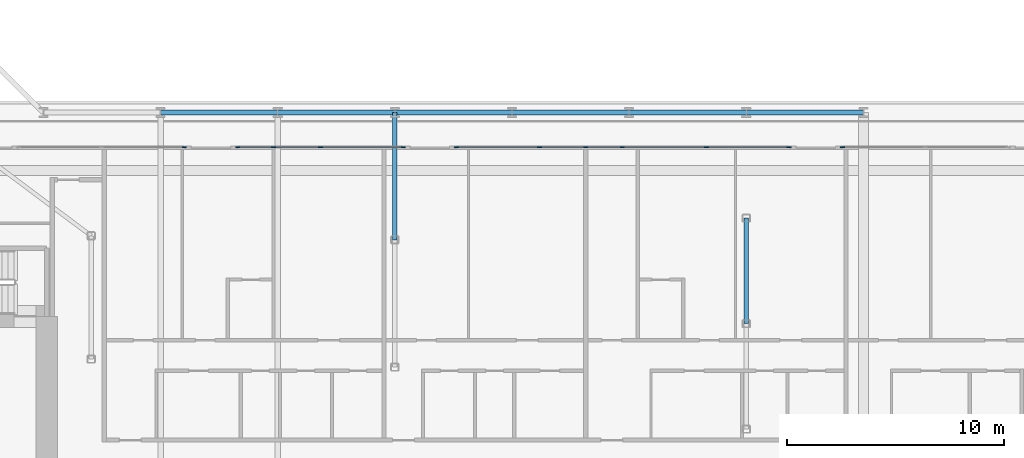
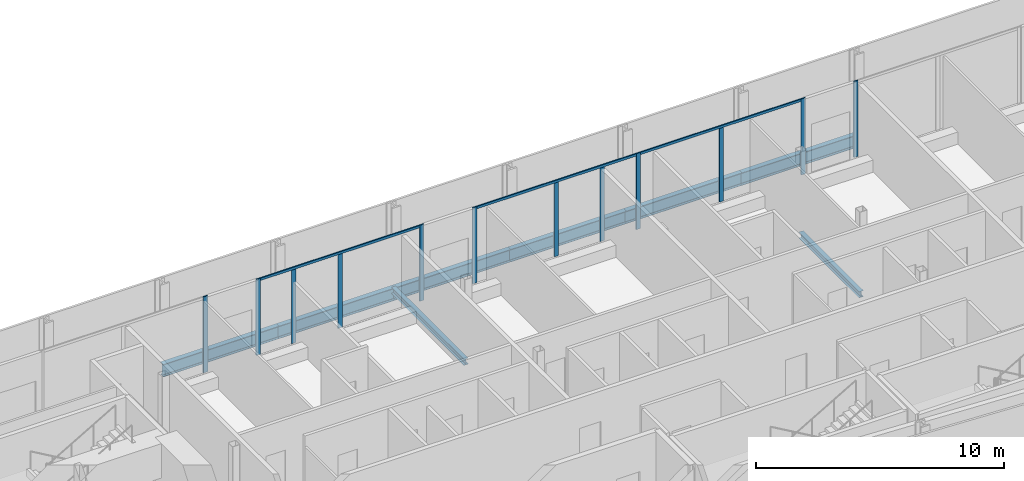
# One storey, part 6 of 27: 15 members, 8 beams, 5 elements without a shape of their own.
"""IFC4 building model written with IfcOpenShell, lengths in metres."""

from ifc_helpers import new_model, si_unit, direction, frame, origin, origin_2d, place, context, subcontext, project, spatial, rectangle, i_section, extrude, material, layer, layer_set, material_profile, profile_set, type_object, element, aggregate, save


model = new_model("IFC4")

# Units and contexts
model_context = context("Model", 3, precision=1e-05, world=origin(), true_north=direction((0.0, 1.0)))
body_context = subcontext(model_context, "Body", "Model", "MODEL_VIEW")
ifc_project = project(units=[si_unit("LENGTHUNIT", "METRE"), si_unit("AREAUNIT", "SQUARE_METRE"), si_unit("VOLUMEUNIT", "CUBIC_METRE"), si_unit("PLANEANGLEUNIT", "RADIAN"), si_unit("MASSUNIT", "GRAM", prefix="KILO")], contexts=[model_context])

# Site, building, storey
site_placement = place(None, origin())
site = spatial("IfcSite", under=ifc_project, at=site_placement, CompositionType="ELEMENT")
building_placement = place(site_placement, origin())
building = spatial("IfcBuilding", under=site, at=building_placement, Name="Kheshtan School and Residences Tower", CompositionType="ELEMENT")
storey_placement = place(building_placement, frame((0.0, 0.0, 57.800048828125)))
storey = spatial("IfcBuildingStorey", under=building, at=storey_placement, Name="L13", CompositionType="ELEMENT", Elevation=57.800048828125)

# Beams
ifc_material_1 = material(Name="Steel ASTM A992 Grade 50", Category="steel")
ifc_material_profile_1 = material_profile(ifc_material_1, i_section(OverallWidth=0.202880859375, OverallDepth=0.302978515625, WebThickness=0.007568359375, FlangeThickness=0.01318359375, FilletRadius=0.009033203125, at=origin_2d()), Name="W310x60")
ifc_profile_set_1 = profile_set([ifc_material_profile_1], Name="Steel ASTM A992 Grade 50")
beam_type_1 = type_object("IfcBeamType", Name="Beam FB1 W310x60 ASTM A992 Grade 50", PredefinedType="BEAM", material=ifc_profile_set_1)
beam_1_placement = place(storey_placement, frame((69.199951171875, 45.60009765625, -0.301513671875), z_axis=(0.0, -1.0, 0.0), x_axis=(1.0, 0.0, 0.0)))
element("IfcBeam", 1, at=beam_1_placement, inside=storey, type_object=beam_type_1, Name="Floor beam C064", PredefinedType="BEAM", context=body_context, shape_type="SweptSolid", body=[
    extrude(i_section(OverallWidth=0.202880859375, OverallDepth=0.302978515625, WebThickness=0.007568359375, FlangeThickness=0.01318359375, FilletRadius=0.009033203125, at=origin_2d()), origin(), (0.0, 0.0, 1.0), 5.8681640625),
])
beam_2_placement = place(storey_placement, frame((85.39990234375, 40.735107421875, -0.301513671875), z_axis=(0.0, -1.0, 0.0), x_axis=(1.0, 0.0, 0.0)))
element("IfcBeam", 2, at=beam_2_placement, inside=storey, type_object=beam_type_1, Name="Floor beam IC", PredefinedType="BEAM", context=body_context, shape_type="SweptSolid", body=[
    extrude(i_section(OverallWidth=0.202880859375, OverallDepth=0.302978515625, WebThickness=0.007568359375, FlangeThickness=0.01318359375, FilletRadius=0.009033203125, at=origin_2d()), origin(), (0.0, 0.0, 1.0), 4.864990234375),
])
ifc_material_profile_2 = material_profile(ifc_material_1, i_section(OverallWidth=0.22998046875, OverallDepth=0.616943359375, WebThickness=0.01318359375, FlangeThickness=0.022216796875, FilletRadius=0.0185546875, at=origin_2d()), Name="W610x140")
ifc_profile_set_2 = profile_set([ifc_material_profile_2], Name="Steel ASTM A992 Grade 50")
beam_type_2 = type_object("IfcBeamType", Name="Beam SP1 W610x140 ASTM A992 Grade 50", PredefinedType="BEAM", material=ifc_profile_set_2)
beam_3_placement = place(storey_placement, frame((58.39990234375, 45.60009765625, -0.45849609375), z_axis=(1.0, 0.0, 0.0), x_axis=(0.0, 1.0, 0.0)))
element("IfcBeam", 3, at=beam_3_placement, inside=storey, type_object=beam_type_2, Name="Spandrel beam C062-C063", PredefinedType="BEAM", context=body_context, shape_type="SweptSolid", body=[
    extrude(i_section(OverallWidth=0.22998046875, OverallDepth=0.616943359375, WebThickness=0.01318359375, FlangeThickness=0.022216796875, FilletRadius=0.0185546875, at=origin_2d()), origin(), (0.0, 0.0, 1.0), 5.400146484375),
])
beam_4_placement = place(storey_placement, frame((63.800048828125, 45.60009765625, -0.45849609375), z_axis=(1.0, 0.0, 0.0), x_axis=(0.0, 1.0, 0.0)))
element("IfcBeam", 4, at=beam_4_placement, inside=storey, type_object=beam_type_2, Name="Spandrel beam C063-C064", PredefinedType="BEAM", context=body_context, shape_type="SweptSolid", body=[
    extrude(i_section(OverallWidth=0.22998046875, OverallDepth=0.616943359375, WebThickness=0.01318359375, FlangeThickness=0.022216796875, FilletRadius=0.0185546875, at=origin_2d()), origin(), (0.0, 0.0, 1.0), 5.39990234375),
])
beam_5_placement = place(storey_placement, frame((69.199951171875, 45.60009765625, -0.45849609375), z_axis=(1.0, 0.0, 0.0), x_axis=(0.0, 1.0, 0.0)))
element("IfcBeam", 5, at=beam_5_placement, inside=storey, type_object=beam_type_2, Name="Spandrel beam C064-C065", PredefinedType="BEAM", context=body_context, shape_type="SweptSolid", body=[
    extrude(i_section(OverallWidth=0.22998046875, OverallDepth=0.616943359375, WebThickness=0.01318359375, FlangeThickness=0.022216796875, FilletRadius=0.0185546875, at=origin_2d()), origin(), (0.0, 0.0, 1.0), 5.400146484375),
])
for number, where, z_axis, x_axis, name in (
    (6, (74.60009765625, 45.60009765625, -0.45849609375), (1.0, 0.0, 0.0), (0.0, 1.0, 0.0), "Spandrel beam C065-C066"),
    (7, (80.0, 45.60009765625, -0.45849609375), (1.0, 0.0, 0.0), (0.0, 1.0, 0.0), "Spandrel beam C066-C067"),
):
    element("IfcBeam", number, at=place(storey_placement, frame(where, z_axis=z_axis, x_axis=x_axis)), inside=storey, type_object=beam_type_2, Name=name, PredefinedType="BEAM", context=body_context, shape_type="SweptSolid", body=[
        extrude(i_section(OverallWidth=0.22998046875, OverallDepth=0.616943359375, WebThickness=0.01318359375, FlangeThickness=0.022216796875, FilletRadius=0.0185546875, at=origin_2d()), origin(), (0.0, 0.0, 1.0), 5.39990234375),
    ])
beam_6_placement = place(storey_placement, frame((85.39990234375, 45.60009765625, -0.45849609375), z_axis=(1.0, 0.0, 0.0), x_axis=(0.0, 1.0, 0.0)))
element("IfcBeam", 8, at=beam_6_placement, inside=storey, type_object=beam_type_2, Name="Spandrel beam C067-C068", PredefinedType="BEAM", context=body_context, shape_type="SweptSolid", body=[
    extrude(i_section(OverallWidth=0.22998046875, OverallDepth=0.616943359375, WebThickness=0.01318359375, FlangeThickness=0.022216796875, FilletRadius=0.0185546875, at=origin_2d()), origin(), (0.0, 0.0, 1.0), 5.400146484375),
])

# Curtain wall, member
ifc_material_2 = material(Name="Clear low-e glass in thermally broken aluminium frame", Category="aluminium")
ifc_layer = layer(ifc_material_2, 0.199951171875)
ifc_layer_set = layer_set([ifc_layer], Name="Curtain wall CW-L")
curtain_wall_type = type_object("IfcCurtainWallType", Name="Curtain wall CW-L", PredefinedType="NOTDEFINED", material=ifc_layer_set)
curtain_wall_1_placement = place(storey_placement, origin())
curtain_wall_1 = element("IfcCurtainWall", 9, at=curtain_wall_1_placement, inside=storey, type_object=curtain_wall_type, Name="Curtain wall CWL12j", PredefinedType="NOTDEFINED")
ifc_material_3 = material(Name="Thermally broken aluminium, dark bronze anodised", Category="aluminium")
ifc_material_profile_3 = material_profile(ifc_material_3, rectangle(XDim=0.06005859375, YDim=0.199951171875, at=origin_2d()), Name="CW-L mullion 60x200")
ifc_profile_set_3 = profile_set([ifc_material_profile_3], Name="Thermally broken aluminium, dark bronze anodised")
member_type_1 = type_object("IfcMemberType", Name="CW-L mullion 60x200", PredefinedType="MULLION", material=ifc_profile_set_3)
member_1_placement = place(storey_placement, frame((59.493896484375, 44.0, 0.0), z_axis=(0.0, 0.0, 1.0), x_axis=(0.0, 1.0, 0.0)))
member_1 = element("IfcMember", 10, at=member_1_placement, type_object=member_type_1, Name="CWL12j mullion 3", PredefinedType="MULLION", context=body_context, shape_type="SweptSolid", body=[
    extrude(rectangle(XDim=0.06005859375, YDim=0.199951171875, at=origin_2d()), origin(), (0.0, 0.0, 1.0), 3.75),
])
aggregate(curtain_wall_1, [member_1])

# Curtain wall, members
curtain_wall_2_placement = place(storey_placement, origin())
curtain_wall_2 = element("IfcCurtainWall", 11, at=curtain_wall_2_placement, inside=storey, type_object=curtain_wall_type, Name="Curtain wall CWL12k", PredefinedType="NOTDEFINED")
member_2_placement = place(storey_placement, frame((61.9541015625, 44.0, 0.0), z_axis=(0.0, 0.0, 1.0), x_axis=(0.0, 1.0, 0.0)))
member_2 = element("IfcMember", 12, at=member_2_placement, type_object=member_type_1, Name="CWL12k mullion 1", PredefinedType="MULLION", context=body_context, shape_type="SweptSolid", body=[
    extrude(rectangle(XDim=0.06005859375, YDim=0.199951171875, at=origin_2d()), origin(), (0.0, 0.0, 1.0), 3.75),
])
member_3_placement = place(storey_placement, frame((63.60009765625, 44.0, 0.0), z_axis=(0.0, 0.0, 1.0), x_axis=(0.0, 1.0, 0.0)))
member_3 = element("IfcMember", 13, at=member_3_placement, type_object=member_type_1, Name="CWL12k mullion 2", PredefinedType="MULLION", context=body_context, shape_type="SweptSolid", body=[
    extrude(rectangle(XDim=0.06005859375, YDim=0.199951171875, at=origin_2d()), origin(), (0.0, 0.0, 1.0), 3.6298828125),
])
member_4_placement = place(storey_placement, frame((65.77099609375, 44.0, 0.0), z_axis=(0.0, 0.0, 1.0), x_axis=(0.0, 1.0, 0.0)))
member_4 = element("IfcMember", 14, at=member_4_placement, type_object=member_type_1, Name="CWL12k mullion 3", PredefinedType="MULLION", context=body_context, shape_type="SweptSolid", body=[
    extrude(rectangle(XDim=0.06005859375, YDim=0.199951171875, at=origin_2d()), origin(), (0.0, 0.0, 1.0), 3.6298828125),
])
member_5_placement = place(storey_placement, frame((69.587890625, 44.0, 0.0), z_axis=(0.0, 0.0, 1.0), x_axis=(0.0, 1.0, 0.0)))
member_5 = element("IfcMember", 15, at=member_5_placement, type_object=member_type_1, Name="CWL12k mullion 4", PredefinedType="MULLION", context=body_context, shape_type="SweptSolid", body=[
    extrude(rectangle(XDim=0.06005859375, YDim=0.199951171875, at=origin_2d()), origin(), (0.0, 0.0, 1.0), 3.75),
])

curtain_wall_3_placement = place(storey_placement, origin())
curtain_wall_3 = element("IfcCurtainWall", 16, at=curtain_wall_3_placement, inside=storey, type_object=curtain_wall_type, Name="Curtain wall CWL12k", PredefinedType="NOTDEFINED")
member_6_placement = place(storey_placement, frame((72.048095703125, 44.0, 0.0), z_axis=(0.0, 0.0, 1.0), x_axis=(0.0, 1.0, 0.0)))
member_6 = element("IfcMember", 17, at=member_6_placement, type_object=member_type_1, Name="CWL12k mullion 1", PredefinedType="MULLION", context=body_context, shape_type="SweptSolid", body=[
    extrude(rectangle(XDim=0.06005859375, YDim=0.199951171875, at=origin_2d()), origin(), (0.0, 0.0, 1.0), 3.75),
])
member_7_placement = place(storey_placement, frame((75.864990234375, 44.0, 0.0), z_axis=(0.0, 0.0, 1.0), x_axis=(0.0, 1.0, 0.0)))
member_7 = element("IfcMember", 18, at=member_7_placement, type_object=member_type_1, Name="CWL12k mullion 2", PredefinedType="MULLION", context=body_context, shape_type="SweptSolid", body=[
    extrude(rectangle(XDim=0.06005859375, YDim=0.199951171875, at=origin_2d()), origin(), (0.0, 0.0, 1.0), 3.6298828125),
])
member_8_placement = place(storey_placement, frame((78.0, 44.0, 0.0), z_axis=(0.0, 0.0, 1.0), x_axis=(0.0, 1.0, 0.0)))
member_8 = element("IfcMember", 19, at=member_8_placement, type_object=member_type_1, Name="CWL12k mullion 3", PredefinedType="MULLION", context=body_context, shape_type="SweptSolid", body=[
    extrude(rectangle(XDim=0.06005859375, YDim=0.199951171875, at=origin_2d()), origin(), (0.0, 0.0, 1.0), 3.6298828125),
])
member_9_placement = place(storey_placement, frame((79.681884765625, 44.0, 0.0), z_axis=(0.0, 0.0, 1.0), x_axis=(0.0, 1.0, 0.0)))
member_9 = element("IfcMember", 20, at=member_9_placement, type_object=member_type_1, Name="CWL12k mullion 4", PredefinedType="MULLION", context=body_context, shape_type="SweptSolid", body=[
    extrude(rectangle(XDim=0.06005859375, YDim=0.199951171875, at=origin_2d()), origin(), (0.0, 0.0, 1.0), 3.75),
])

curtain_wall_4_placement = place(storey_placement, origin())
curtain_wall_4 = element("IfcCurtainWall", 21, at=curtain_wall_4_placement, inside=storey, type_object=curtain_wall_type, Name="Curtain wall CWL12j", PredefinedType="NOTDEFINED")
member_10_placement = place(storey_placement, frame((83.55908203125, 44.0, 0.0), z_axis=(0.0, 0.0, 1.0), x_axis=(0.0, 1.0, 0.0)))
member_10 = element("IfcMember", 22, at=member_10_placement, type_object=member_type_1, Name="CWL12j mullion 2", PredefinedType="MULLION", context=body_context, shape_type="SweptSolid", body=[
    extrude(rectangle(XDim=0.06005859375, YDim=0.199951171875, at=origin_2d()), origin(), (0.0, 0.0, 1.0), 3.6298828125),
])
member_11_placement = place(storey_placement, frame((87.3759765625, 44.0, 0.0), z_axis=(0.0, 0.0, 1.0), x_axis=(0.0, 1.0, 0.0)))
member_11 = element("IfcMember", 23, at=member_11_placement, type_object=member_type_1, Name="CWL12j mullion 3", PredefinedType="MULLION", context=body_context, shape_type="SweptSolid", body=[
    extrude(rectangle(XDim=0.06005859375, YDim=0.199951171875, at=origin_2d()), origin(), (0.0, 0.0, 1.0), 3.75),
])

# Curtain wall, member
curtain_wall_5_placement = place(storey_placement, origin())
curtain_wall_5 = element("IfcCurtainWall", 24, at=curtain_wall_5_placement, inside=storey, type_object=curtain_wall_type, Name="Curtain wall CWL12j", PredefinedType="NOTDEFINED")
member_12_placement = place(storey_placement, frame((89.8359375, 44.0, 0.0), z_axis=(0.0, 0.0, 1.0), x_axis=(0.0, 1.0, 0.0)))
member_12 = element("IfcMember", 25, at=member_12_placement, type_object=member_type_1, Name="CWL12j mullion 1", PredefinedType="MULLION", context=body_context, shape_type="SweptSolid", body=[
    extrude(rectangle(XDim=0.06005859375, YDim=0.199951171875, at=origin_2d()), origin(), (0.0, 0.0, 1.0), 3.75),
])
aggregate(curtain_wall_5, [member_12])

# Member
ifc_material_profile_4 = material_profile(ifc_material_3, rectangle(XDim=0.06005859375, YDim=0.1201171875, at=origin_2d()), Name="CW-L transom 60x120")
ifc_profile_set_4 = profile_set([ifc_material_profile_4], Name="Thermally broken aluminium, dark bronze anodised")
member_type_2 = type_object("IfcMemberType", Name="CW-L transom 60x120", PredefinedType="USERDEFINED", material=ifc_profile_set_4)
member_13_placement = place(storey_placement, frame((61.98388671875, 44.0, 3.68994140625), z_axis=(1.0, 0.0, 0.0), x_axis=(0.0, 1.0, 0.0)))
member_13 = element("IfcMember", 26, at=member_13_placement, type_object=member_type_2, Name="CWL12k transom 1", ObjectType="TRANSOM", PredefinedType="USERDEFINED", context=body_context, shape_type="SweptSolid", body=[
    extrude(rectangle(XDim=0.06005859375, YDim=0.1201171875, at=origin_2d()), origin(), (0.0, 0.0, 1.0), 7.57421875),
])

aggregate(curtain_wall_2, [member_2, member_3, member_4, member_5, member_13])

member_14_placement = place(storey_placement, frame((72.077880859375, 44.0, 3.68994140625), z_axis=(1.0, 0.0, 0.0), x_axis=(0.0, 1.0, 0.0)))
member_14 = element("IfcMember", 27, at=member_14_placement, type_object=member_type_2, Name="CWL12k transom 1", ObjectType="TRANSOM", PredefinedType="USERDEFINED", context=body_context, shape_type="SweptSolid", body=[
    extrude(rectangle(XDim=0.06005859375, YDim=0.1201171875, at=origin_2d()), origin(), (0.0, 0.0, 1.0), 7.57421875),
])

aggregate(curtain_wall_3, [member_6, member_7, member_8, member_9, member_14])

member_15_placement = place(storey_placement, frame((79.7119140625, 44.0, 3.68994140625), z_axis=(1.0, 0.0, 0.0), x_axis=(0.0, 1.0, 0.0)))
member_15 = element("IfcMember", 28, at=member_15_placement, type_object=member_type_2, Name="CWL12j transom 1", ObjectType="TRANSOM", PredefinedType="USERDEFINED", context=body_context, shape_type="SweptSolid", body=[
    extrude(rectangle(XDim=0.06005859375, YDim=0.1201171875, at=origin_2d()), origin(), (0.0, 0.0, 1.0), 7.634033203125),
])

aggregate(curtain_wall_4, [member_10, member_11, member_15])

save(model, "model.ifc")
